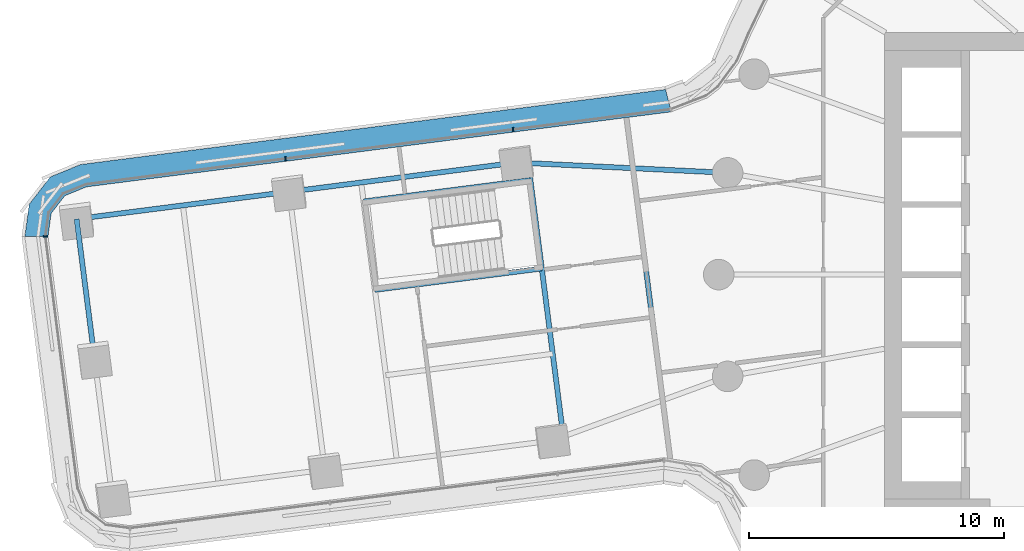
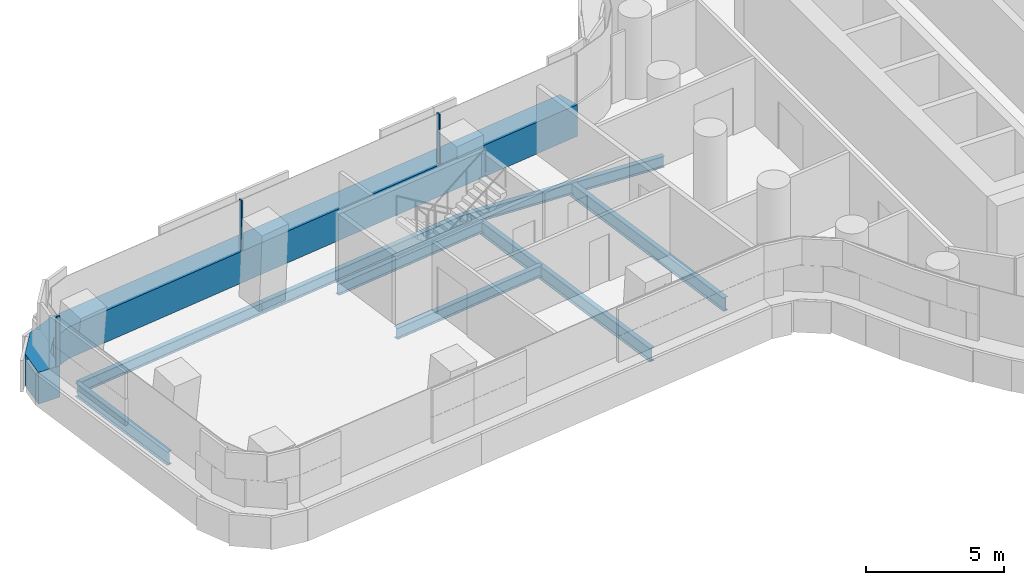
# One storey, part 6 of 31: 8 beams, 4 members, 2 elements without a shape of their own.
"""IFC4 building model written with IfcOpenShell, lengths in metres."""

from ifc_helpers import new_model, si_unit, direction, frame, origin, origin_2d, place, context, subcontext, project, spatial, polyline, rectangle, i_section, outline, extrude, material, layer, layer_set, material_profile, profile_set, type_object, element, aggregate, save


model = new_model("IFC4")

# Units and contexts
model_context = context("Model", 3, precision=1e-05, world=origin(), true_north=direction((0.0, 1.0)))
body_context = subcontext(model_context, "Body", "Model", "MODEL_VIEW")
ifc_project = project(units=[si_unit("LENGTHUNIT", "METRE"), si_unit("AREAUNIT", "SQUARE_METRE"), si_unit("VOLUMEUNIT", "CUBIC_METRE"), si_unit("PLANEANGLEUNIT", "RADIAN"), si_unit("MASSUNIT", "GRAM", prefix="KILO")], contexts=[model_context])

# Site, building, storey
site_placement = place(None, origin())
site = spatial("IfcSite", under=ifc_project, at=site_placement, CompositionType="ELEMENT")
building_placement = place(site_placement, origin())
building = spatial("IfcBuilding", under=site, at=building_placement, Name="Tamarind Cross Interchange Tower", CompositionType="ELEMENT")
storey_placement = place(building_placement, frame((0.0, 0.0, 60.25)))
storey = spatial("IfcBuildingStorey", under=building, at=storey_placement, Name="L13", CompositionType="ELEMENT", Elevation=60.25)

# Beams
ifc_material_1 = material(Name="Steel Q355B", Category="steel")
ifc_material_profile_1 = material_profile(ifc_material_1, i_section(OverallWidth=0.198974609375, OverallDepth=0.49609375, WebThickness=0.009033203125, FlangeThickness=0.013916015625, FilletRadius=0.012939453125, at=origin_2d()), Name="HN 496x199x9x14")
ifc_profile_set_1 = profile_set([ifc_material_profile_1], Name="Steel Q355B")
beam_type_1 = type_object("IfcBeamType", Name="Composite beam HN 496x199x9x14 Q355B", PredefinedType="BEAM", material=ifc_profile_set_1)
beam_1_placement = place(storey_placement, frame((-48.199951171875, 2.182373046875, -0.387939453125), z_axis=(0.991862874278, 0.127310795413, 0.0), x_axis=(-0.127310795413, 0.991862874278, 0.0)))
element("IfcBeam", 1, at=beam_1_placement, inside=storey, type_object=beam_type_1, Name="Beam W-edgeem5", PredefinedType="BEAM", context=body_context, shape_type="SweptSolid", body=[
    extrude(i_section(OverallWidth=0.198974609375, OverallDepth=0.49609375, WebThickness=0.009033203125, FlangeThickness=0.013916015625, FilletRadius=0.012939453125, at=origin_2d()), origin(), (0.0, 0.0, 1.0), 8.408935546875),
])
beam_2_placement = place(storey_placement, frame((-39.859375, 3.2529296875, -0.387939453125), z_axis=(0.991863494018, 0.127305967001, 0.0), x_axis=(-0.127305967001, 0.991863494018, 0.0)))
element("IfcBeam", 2, at=beam_2_placement, inside=storey, type_object=beam_type_1, Name="Beam W-edgeem6", PredefinedType="BEAM", context=body_context, shape_type="SweptSolid", body=[
    extrude(i_section(OverallWidth=0.198974609375, OverallDepth=0.49609375, WebThickness=0.009033203125, FlangeThickness=0.013916015625, FilletRadius=0.012939453125, at=origin_2d()), origin(), (0.0, 0.0, 1.0), 9.0),
])
beam_3_placement = place(storey_placement, frame((-30.9326171875, 4.398681640625, -0.387939453125), z_axis=(0.998807733561, -0.048817121783, 0.0), x_axis=(0.048817121783, 0.998807733561, 0.0)))
element("IfcBeam", 3, at=beam_3_placement, inside=storey, type_object=beam_type_1, Name="Beam W-linkem", PredefinedType="BEAM", context=body_context, shape_type="SweptSolid", body=[
    extrude(i_section(OverallWidth=0.198974609375, OverallDepth=0.49609375, WebThickness=0.009033203125, FlangeThickness=0.013916015625, FilletRadius=0.012939453125, at=origin_2d()), origin(), (0.0, 0.0, 1.0), 8.291748046875),
])
for number, where, z_axis, x_axis, name in (
    (4, (-30.390869140625, 3.712158203125, -0.387939453125), (-0.991860954329, -0.127325752613, 0.0), (0.127325752613, -0.991860954329, 0.0), "Beam W-tr0"),
    (5, (-29.9453125, 0.240478515625, -0.387939453125), (-0.991865625356, -0.127289360267, 0.0), (0.127289360267, -0.991865625356, 0.0), "Beam W-tr1"),
):
    element("IfcBeam", number, at=place(storey_placement, frame(where, z_axis=z_axis, x_axis=x_axis)), inside=storey, type_object=beam_type_1, Name=name, PredefinedType="BEAM", context=body_context, shape_type="SweptSolid", body=[
        extrude(i_section(OverallWidth=0.198974609375, OverallDepth=0.49609375, WebThickness=0.009033203125, FlangeThickness=0.013916015625, FilletRadius=0.012939453125, at=origin_2d()), origin(), (0.0, 0.0, 1.0), 6.599853515625),
    ])
ifc_material_profile_2 = material_profile(ifc_material_1, i_section(OverallWidth=0.199951171875, OverallDepth=0.60009765625, WebThickness=0.010986328125, FlangeThickness=0.01708984375, FilletRadius=0.012939453125, at=origin_2d()), Name="HN 600x200x11x17")
ifc_profile_set_2 = profile_set([ifc_material_profile_2], Name="Steel Q355B")
beam_type_2 = type_object("IfcBeamType", Name="Composite beam HN 600x200x11x17 Q355B", PredefinedType="BEAM", material=ifc_profile_set_2)
beam_4_placement = place(storey_placement, frame((-48.199951171875, 2.182373046875, -0.43994140625), z_axis=(0.127268458542, -0.991868307519, 0.0), x_axis=(0.991868307519, 0.127268458542, 0.0)))
element("IfcBeam", 6, at=beam_4_placement, inside=storey, type_object=beam_type_2, Name="Beam W-tip0", PredefinedType="BEAM", context=body_context, shape_type="SweptSolid", body=[
    extrude(i_section(OverallWidth=0.199951171875, OverallDepth=0.60009765625, WebThickness=0.010986328125, FlangeThickness=0.01708984375, FilletRadius=0.012939453125, at=origin_2d()), origin(), (0.0, 0.0, 1.0), 5.499755859375),
])
beam_5_placement = place(storey_placement, frame((-30.47607421875, 4.37646484375, -0.43994140625), z_axis=(0.127308922386, -0.991863114689, 0.0), x_axis=(0.991863114689, 0.127308922386, 0.0)))
element("IfcBeam", 7, at=beam_5_placement, inside=storey, type_object=beam_type_2, Name="Beam W-x298", PredefinedType="BEAM", context=body_context, shape_type="SweptSolid", body=[
    extrude(i_section(OverallWidth=0.199951171875, OverallDepth=0.60009765625, WebThickness=0.010986328125, FlangeThickness=0.01708984375, FilletRadius=0.012939453125, at=origin_2d()), origin(), (0.0, 0.0, 1.0), 10.81787109375),
])
beam_6_placement = place(storey_placement, frame((-26.3671875, 4.175537109375, -0.43994140625), z_axis=(0.127305256174, -0.991863585253, 0.0), x_axis=(0.991863585253, 0.127305256174, 0.0)))
element("IfcBeam", 8, at=beam_6_placement, inside=storey, type_object=beam_type_2, Name="Beam W-x258", PredefinedType="BEAM", context=body_context, shape_type="SweptSolid", body=[
    extrude(i_section(OverallWidth=0.199951171875, OverallDepth=0.60009765625, WebThickness=0.010986328125, FlangeThickness=0.01708984375, FilletRadius=0.012939453125, at=origin_2d()), origin(), (0.0, 0.0, 1.0), 9.176513671875),
])

# Curtain wall, member
ifc_material_2 = material(Name="Aluminium 6063-T6", Category="aluminium")
ifc_layer = layer(ifc_material_2, 0.159912109375)
ifc_layer_set = layer_set([ifc_layer], Name="Aluminium 6063-T6")
curtain_wall_type = type_object("IfcCurtainWallType", Name="Office curtain wall, 9.0 m bays", PredefinedType="NOTDEFINED", material=ifc_layer_set)
curtain_wall_1_placement = place(storey_placement, origin())
curtain_wall_1 = element("IfcCurtainWall", 9, at=curtain_wall_1_placement, inside=storey, type_object=curtain_wall_type, Name="CWS-L13-15", PredefinedType="NOTDEFINED")
ifc_material_3 = material(Name="Aluminium and insulated spandrel panel", Category="aluminium")
member_type_1 = type_object("IfcMemberType", Name="Floor-edge blade transom", PredefinedType="USERDEFINED", material=ifc_material_3)
member_1_placement = place(storey_placement, origin())
member_1 = element("IfcMember", 10, at=member_1_placement, type_object=member_type_1, Name="CWT-L13-15", ObjectType="TRANSOM", PredefinedType="USERDEFINED", context=body_context, shape_type="SweptSolid", body=[
    extrude(outline(polyline([(-24.86279296875, 6.387451171875), (-47.817626953125, 3.44140625), (-48.66455078125, 3.09375), (-49.19921875, 2.40185546875), (-49.321533203125, 1.49462890625), (-50.229248046875, 1.49755859375), (-50.058837890625, 2.76123046875), (-49.229248046875, 3.8349609375), (-48.0498046875, 4.319091796875), (-25.08642578125, 7.26611328125), (-24.86279296875, 6.387451171875)])), origin(), (0.0, 0.0, 1.0), 1.39990234375),
])

curtain_wall_2_placement = place(storey_placement, origin())
curtain_wall_2 = element("IfcCurtainWall", 11, at=curtain_wall_2_placement, inside=storey, type_object=curtain_wall_type, Name="CWS-L13-00", PredefinedType="NOTDEFINED")
ifc_material_profile_3 = material_profile(ifc_material_2, rectangle(XDim=0.06005859375, YDim=0.159912109375, at=origin_2d()), Name="Mullion CW1")
ifc_profile_set_3 = profile_set([ifc_material_profile_3], Name="Aluminium 6063-T6")
member_type_2 = type_object("IfcMemberType", Name="Mullion CW1", PredefinedType="MULLION", material=ifc_profile_set_3)
member_2_placement = place(storey_placement, frame((-49.42236328125, 1.494873046875, 1.39990234375), z_axis=(0.0, 0.0, 1.0), x_axis=(-0.003253287987, -0.999994708045, 0.0)))
member_2 = element("IfcMember", 12, at=member_2_placement, type_object=member_type_2, Name="CWM-L13-00-00", PredefinedType="MULLION", context=body_context, shape_type="SweptSolid", body=[
    extrude(rectangle(XDim=0.06005859375, YDim=0.159912109375, at=origin_2d()), origin(), (0.0, 0.0, 1.0), 2.210205078125),
])
aggregate(curtain_wall_2, [member_2])

# Member
member_3_placement = place(storey_placement, frame((-31.0732421875, 5.691162109375, 1.39990234375), z_axis=(0.0, 0.0, 1.0), x_axis=(-0.991864253985, -0.127300045824, 0.0)))
member_3 = element("IfcMember", 13, at=member_3_placement, type_object=member_type_2, Name="CWM-L13-15-01", PredefinedType="MULLION", context=body_context, shape_type="SweptSolid", body=[
    extrude(rectangle(XDim=0.06005859375, YDim=0.159912109375, at=origin_2d()), origin(), (0.0, 0.0, 1.0), 2.210205078125),
])

member_4_placement = place(storey_placement, frame((-39.99951171875, 4.545654296875, 1.39990234375), z_axis=(0.0, 0.0, 1.0), x_axis=(-0.991864253985, -0.127300045824, 0.0)))
member_4 = element("IfcMember", 14, at=member_4_placement, type_object=member_type_2, Name="CWM-L13-15-02", PredefinedType="MULLION", context=body_context, shape_type="SweptSolid", body=[
    extrude(rectangle(XDim=0.06005859375, YDim=0.159912109375, at=origin_2d()), origin(), (0.0, 0.0, 1.0), 2.210205078125),
])

aggregate(curtain_wall_1, [member_3, member_4, member_1])

save(model, "model.ifc")
